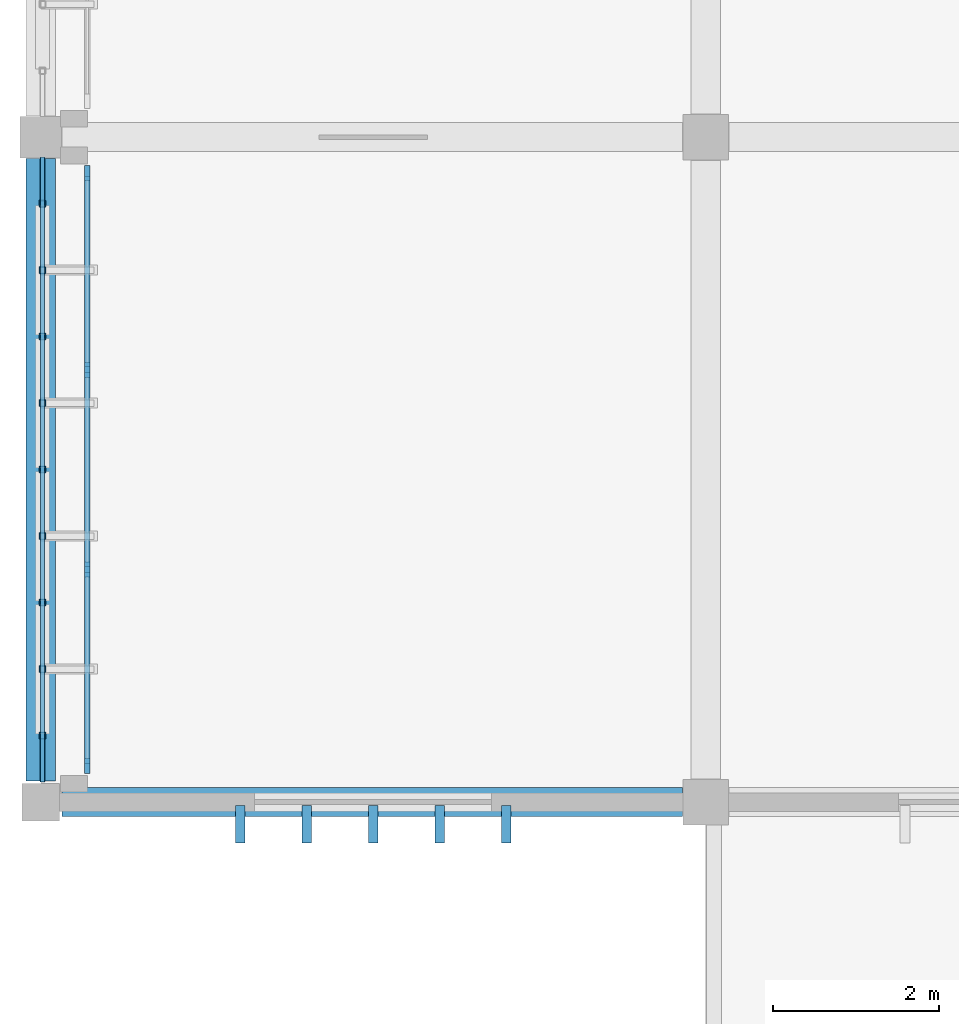
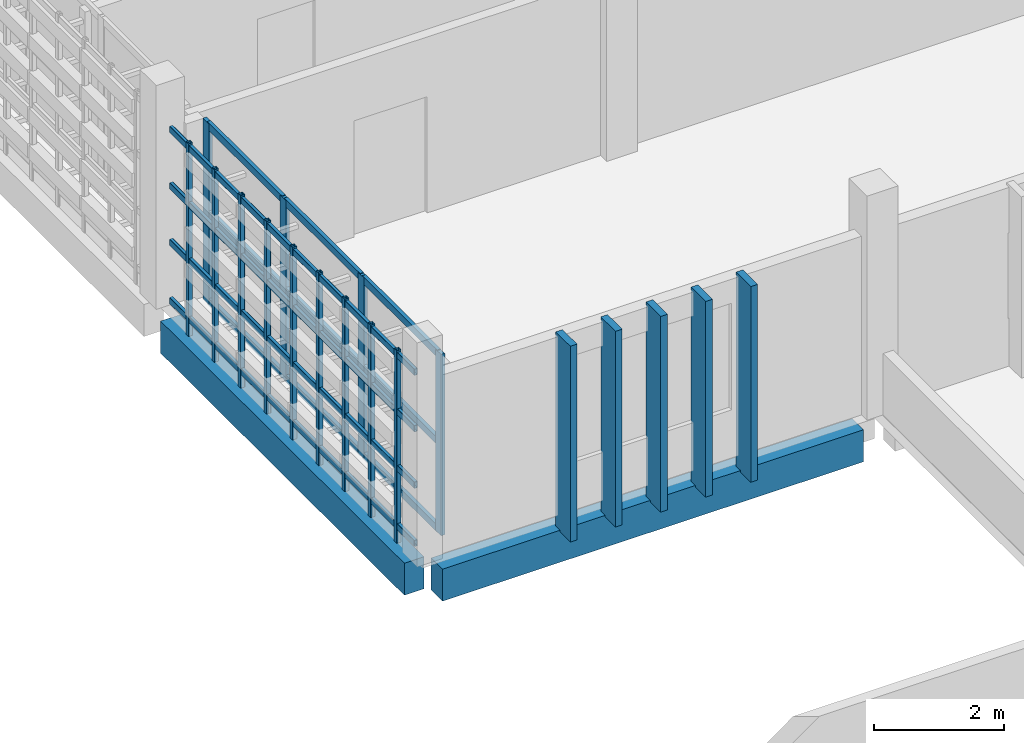
# One storey, part 2 of 32: 31 members, 2 beams, 1 element without a shape of its own.
"""IFC4 building model written with IfcOpenShell, lengths in metres."""

from ifc_helpers import new_model, si_unit, direction, frame, origin, origin_2d, place, context, subcontext, project, spatial, rectangle, hollow_rectangle, extrude, material, layer, layer_set, material_profile, profile_set, type_object, element, aggregate, save


model = new_model("IFC4")

# Units and contexts
model_context = context("Model", 3, precision=1e-05, world=origin(), true_north=direction((0.0, 1.0)))
body_context = subcontext(model_context, "Body", "Model", "MODEL_VIEW")
ifc_project = project(units=[si_unit("LENGTHUNIT", "METRE"), si_unit("AREAUNIT", "SQUARE_METRE"), si_unit("VOLUMEUNIT", "CUBIC_METRE"), si_unit("PLANEANGLEUNIT", "RADIAN"), si_unit("MASSUNIT", "GRAM", prefix="KILO")], contexts=[model_context])

# Site, building, storey
site_placement = place(None, origin())
site = spatial("IfcSite", under=ifc_project, at=site_placement, CompositionType="ELEMENT")
building_placement = place(site_placement, origin())
building = spatial("IfcBuilding", under=site, at=building_placement, Name="Jelvoka-Kovrelna Polytechnic", CompositionType="ELEMENT")
storey_placement = place(building_placement, frame((0.0, 0.0, 26.39990234375)))
storey = spatial("IfcBuildingStorey", under=building, at=storey_placement, Name="L07", CompositionType="ELEMENT", Elevation=26.39990234375)

# Beam
ifc_material_1 = material(Name="Concrete C35/45", Category="concrete")
ifc_material_profile_1 = material_profile(ifc_material_1, rectangle(XDim=0.35009765625, YDim=0.60009765625, at=origin_2d()), Name="RC 350x600")
ifc_profile_set_1 = profile_set([ifc_material_profile_1], Name="Concrete C35/45")
beam_type_1 = type_object("IfcBeamType", Name="Beam_RC_350x600", PredefinedType="BEAM", material=ifc_profile_set_1)
beam_1_placement = place(storey_placement, frame((64.0, 56.2548828125, -0.539794921875), z_axis=(0.0, 1.0, 0.0), x_axis=(-1.0, 0.0, 0.0)))
element("IfcBeam", 1, at=beam_1_placement, inside=storey, type_object=beam_type_1, Name="L07 beam 1844", PredefinedType="BEAM", context=body_context, shape_type="SweptSolid", body=[
    extrude(rectangle(XDim=0.35009765625, YDim=0.60009765625, at=origin_2d()), origin(), (0.0, 0.0, 1.0), 7.490234375),
])

# Members
ifc_material_2 = material(Name="Precast concrete C40/50", Category="concrete")
ifc_material_profile_2 = material_profile(ifc_material_2, rectangle(XDim=0.1201171875, YDim=0.449951171875, at=origin_2d()), Name="PC 120x450")
ifc_profile_set_2 = profile_set([ifc_material_profile_2], Name="Precast concrete C40/50")
member_type_1 = type_object("IfcMemberType", Name="Louvre_Fin_120x450", PredefinedType="USERDEFINED", material=ifc_profile_set_2)
for number, where, z_axis, x_axis, name in (
    (2, (66.39990234375, 55.735107421875, -0.27001953125), (0.0, 0.0, 1.0), (1.0, 0.0, 0.0), "L07 B3 south vertical solar louvre fin 2081"),
    (3, (67.199951171875, 55.735107421875, -0.27001953125), (0.0, 0.0, 1.0), (1.0, 0.0, 0.0), "L07 B3 south vertical solar louvre fin 2082"),
    (4, (68.0, 55.735107421875, -0.27001953125), (0.0, 0.0, 1.0), (1.0, 0.0, 0.0), "L07 B3 south vertical solar louvre fin 2083"),
    (5, (68.800048828125, 55.735107421875, -0.27001953125), (0.0, 0.0, 1.0), (1.0, 0.0, 0.0), "L07 B3 south vertical solar louvre fin 2084"),
    (6, (69.60009765625, 55.735107421875, -0.27001953125), (0.0, 0.0, 1.0), (1.0, 0.0, 0.0), "L07 B3 south vertical solar louvre fin 2085"),
):
    element("IfcMember", number, at=place(storey_placement, frame(where, z_axis=z_axis, x_axis=x_axis)), inside=storey, type_object=member_type_1, Name=name, ObjectType="SUNSHADE", PredefinedType="USERDEFINED", context=body_context, shape_type="SweptSolid", body=[
        extrude(rectangle(XDim=0.1201171875, YDim=0.449951171875, at=origin_2d()), origin(), (0.0, 0.0, 1.0), 3.670166015625),
    ])
ifc_material_3 = material(Name="Structural steel S355J2H", Category="steel")
ifc_material_profile_3 = material_profile(ifc_material_3, hollow_rectangle(XDim=0.06005859375, YDim=0.1201171875, WallThickness=0.0048828125, InnerFilletRadius=0.0048828125, OuterFilletRadius=0.007568359375, at=origin_2d()), Name="120x60x5.0 RHS")
ifc_profile_set_3 = profile_set([ifc_material_profile_3], Name="Structural steel S355J2H")
member_type_2 = type_object("IfcMemberType", Name="Member_Strut_RHS120", PredefinedType="STRUT", material=ifc_profile_set_3)
for number, where, z_axis, x_axis, name in (
    (7, (64.02001953125, 56.239990234375, 0.080078125), (0.0, 1.0, 0.0), (-1.0, 0.0, 0.0), "L07 terracotta screen horizontal strut 0781"),
    (8, (64.02001953125, 56.239990234375, 1.17138671875), (0.0, 1.0, 0.0), (-1.0, 0.0, 0.0), "L07 terracotta screen horizontal strut 0782"),
    (9, (64.02001953125, 56.239990234375, 2.230712890625), (0.0, 1.0, 0.0), (-1.0, 0.0, 0.0), "L07 terracotta screen horizontal strut 0783"),
    (10, (64.02001953125, 56.239990234375, 3.2900390625), (0.0, 1.0, 0.0), (-1.0, 0.0, 0.0), "L07 terracotta screen horizontal strut 0784"),
):
    element("IfcMember", number, at=place(storey_placement, frame(where, z_axis=z_axis, x_axis=x_axis)), inside=storey, type_object=member_type_2, Name=name, PredefinedType="STRUT", context=body_context, shape_type="SweptSolid", body=[
        extrude(hollow_rectangle(XDim=0.06005859375, YDim=0.1201171875, WallThickness=0.0048828125, InnerFilletRadius=0.0048828125, OuterFilletRadius=0.007568359375, at=origin_2d()), origin(), (0.0, 0.0, 1.0), 7.52001953125),
    ])
ifc_material_4 = material(Name="Structural steel S355J2H", Category="steel")
ifc_material_profile_4 = material_profile(ifc_material_4, hollow_rectangle(XDim=0.080078125, YDim=0.080078125, WallThickness=0.0048828125, InnerFilletRadius=0.0048828125, OuterFilletRadius=0.007568359375, at=origin_2d()), Name="80x80x5.0 SHS")
ifc_profile_set_4 = profile_set([ifc_material_profile_4], Name="Structural steel S355J2H")
member_type_3 = type_object("IfcMemberType", Name="Member_Strut_SHS80", PredefinedType="STRUT", material=ifc_profile_set_4)
for number, where, z_axis, x_axis, name in (
    (11, (64.02001953125, 56.800048828125, -0.22998046875), (0.0, 0.0, 1.0), (1.0, 0.0, 0.0), "L07 terracotta lattice vertical rib 0785"),
    (12, (64.02001953125, 57.60009765625, -0.22998046875), (0.0, 0.0, 1.0), (1.0, 0.0, 0.0), "L07 terracotta lattice vertical rib 0786"),
    (13, (64.02001953125, 58.39990234375, -0.22998046875), (0.0, 0.0, 1.0), (1.0, 0.0, 0.0), "L07 terracotta lattice vertical rib 0787"),
    (14, (64.02001953125, 59.199951171875, -0.22998046875), (0.0, 0.0, 1.0), (1.0, 0.0, 0.0), "L07 terracotta lattice vertical rib 0788"),
    (15, (64.02001953125, 60.0, -0.22998046875), (0.0, 0.0, 1.0), (1.0, 0.0, 0.0), "L07 terracotta lattice vertical rib 0789"),
    (16, (64.02001953125, 60.800048828125, -0.22998046875), (0.0, 0.0, 1.0), (1.0, 0.0, 0.0), "L07 terracotta lattice vertical rib 0790"),
    (17, (64.02001953125, 61.60009765625, -0.22998046875), (0.0, 0.0, 1.0), (1.0, 0.0, 0.0), "L07 terracotta lattice vertical rib 0791"),
    (18, (64.02001953125, 62.39990234375, -0.22998046875), (0.0, 0.0, 1.0), (1.0, 0.0, 0.0), "L07 terracotta lattice vertical rib 0792"),
    (19, (64.02001953125, 63.199951171875, -0.22998046875), (0.0, 0.0, 1.0), (1.0, 0.0, 0.0), "L07 terracotta lattice vertical rib 0793"),
):
    element("IfcMember", number, at=place(storey_placement, frame(where, z_axis=z_axis, x_axis=x_axis)), inside=storey, type_object=member_type_3, Name=name, PredefinedType="STRUT", context=body_context, shape_type="SweptSolid", body=[
        extrude(hollow_rectangle(XDim=0.080078125, YDim=0.080078125, WallThickness=0.0048828125, InnerFilletRadius=0.0048828125, OuterFilletRadius=0.007568359375, at=origin_2d()), origin(), (0.0, 0.0, 1.0), 3.610107421875),
    ])

# Curtain wall, members
ifc_material_5 = material(Name="Anodised aluminium 6063-T6", Category="aluminium")
ifc_layer = layer(ifc_material_5, 0.179931640625)
ifc_layer_set = layer_set([ifc_layer], Name="Anodised aluminium 6063-T6")
curtain_wall_type = type_object("IfcCurtainWallType", Name="CW_Recessed_B", PredefinedType="NOTDEFINED", material=ifc_layer_set)
curtain_wall_placement = place(storey_placement, origin())
curtain_wall = element("IfcCurtainWall", 20, at=curtain_wall_placement, inside=storey, type_object=curtain_wall_type, Name="L07 glazed curtain wall 093", PredefinedType="NOTDEFINED")
ifc_material_6 = material(Name="Anodised aluminium 6063-T6", Category="aluminium")
ifc_material_profile_5 = material_profile(ifc_material_6, rectangle(XDim=0.06494140625, YDim=0.179931640625, at=origin_2d()), Name="ALU 65x180")
ifc_profile_set_5 = profile_set([ifc_material_profile_5], Name="Anodised aluminium 6063-T6")
member_type_4 = type_object("IfcMemberType", Name="Mullion_M-02", PredefinedType="MULLION", material=ifc_profile_set_5)
member_1_placement = place(storey_placement, frame((64.56005859375, 56.4326171875, -0.02490234375), z_axis=(0.0, 0.0, 1.0), x_axis=(-1.0, 0.0, 0.0)))
member_1 = element("IfcMember", 21, at=member_1_placement, type_object=member_type_4, Name="CW-02 mullion 1", PredefinedType="MULLION", context=body_context, shape_type="SweptSolid", body=[
    extrude(rectangle(XDim=0.06494140625, YDim=0.179931640625, at=origin_2d()), origin(), (0.0, 0.0, 1.0), 3.400146484375),
])
member_2_placement = place(storey_placement, frame((64.56005859375, 58.800048828125, -0.02490234375), z_axis=(0.0, 0.0, 1.0), x_axis=(-1.0, 0.0, 0.0)))
member_2 = element("IfcMember", 22, at=member_2_placement, type_object=member_type_4, Name="CW-02 mullion 2", PredefinedType="MULLION", context=body_context, shape_type="SweptSolid", body=[
    extrude(rectangle(XDim=0.06494140625, YDim=0.179931640625, at=origin_2d()), origin(), (0.0, 0.0, 1.0), 3.400146484375),
])
member_3_placement = place(storey_placement, frame((64.56005859375, 61.199951171875, -0.02490234375), z_axis=(0.0, 0.0, 1.0), x_axis=(-1.0, 0.0, 0.0)))
member_3 = element("IfcMember", 23, at=member_3_placement, type_object=member_type_4, Name="CW-02 mullion 3", PredefinedType="MULLION", context=body_context, shape_type="SweptSolid", body=[
    extrude(rectangle(XDim=0.06494140625, YDim=0.179931640625, at=origin_2d()), origin(), (0.0, 0.0, 1.0), 3.400146484375),
])
member_4_placement = place(storey_placement, frame((64.56005859375, 63.5673828125, -0.02490234375), z_axis=(0.0, 0.0, 1.0), x_axis=(-1.0, 0.0, 0.0)))
member_4 = element("IfcMember", 24, at=member_4_placement, type_object=member_type_4, Name="CW-02 mullion 4", PredefinedType="MULLION", context=body_context, shape_type="SweptSolid", body=[
    extrude(rectangle(XDim=0.06494140625, YDim=0.179931640625, at=origin_2d()), origin(), (0.0, 0.0, 1.0), 3.400146484375),
])

# Beam
ifc_material_7 = material(Name="Concrete C40/50", Category="concrete")
ifc_material_profile_6 = material_profile(ifc_material_7, rectangle(XDim=0.35009765625, YDim=0.60009765625, at=origin_2d()), Name="RC 350x600")
ifc_profile_set_6 = profile_set([ifc_material_profile_6], Name="Concrete C40/50")
beam_type_2 = type_object("IfcBeamType", Name="Spandrel_RC_350x600", PredefinedType="SPANDREL", material=ifc_profile_set_6)
beam_2_placement = place(storey_placement, frame((64.2548828125, 56.0, -0.539794921875), z_axis=(1.0, 0.0, 0.0), x_axis=(0.0, 1.0, 0.0)))
element("IfcBeam", 25, at=beam_2_placement, inside=storey, type_object=beam_type_2, Name="L07 beam 1827", PredefinedType="SPANDREL", context=body_context, shape_type="SweptSolid", body=[
    extrude(rectangle(XDim=0.35009765625, YDim=0.60009765625, at=origin_2d()), origin(), (0.0, 0.0, 1.0), 7.465087890625),
])

# Member
ifc_material_8 = material(Name="Anodised aluminium 6063-T6", Category="aluminium")
ifc_material_profile_7 = material_profile(ifc_material_8, rectangle(XDim=0.06494140625, YDim=0.135009765625, at=origin_2d()), Name="ALU 65x135")
ifc_profile_set_7 = profile_set([ifc_material_profile_7], Name="Anodised aluminium 6063-T6")
member_type_5 = type_object("IfcMemberType", Name="Transom_T-02", PredefinedType="USERDEFINED", material=ifc_profile_set_7)
member_5_placement = place(storey_placement, frame((64.56005859375, 56.465087890625, 0.03271484375), z_axis=(0.0, 1.0, 0.0), x_axis=(-1.0, 0.0, 0.0)))
member_5 = element("IfcMember", 26, at=member_5_placement, type_object=member_type_5, Name="CW-02 transom 1.1", ObjectType="TRANSOM", PredefinedType="USERDEFINED", context=body_context, shape_type="SweptSolid", body=[
    extrude(rectangle(XDim=0.06494140625, YDim=0.135009765625, at=origin_2d()), origin(), (0.0, 0.0, 1.0), 2.302490234375),
])

member_6_placement = place(storey_placement, frame((64.56005859375, 56.465087890625, 1.675048828125), z_axis=(0.0, 1.0, 0.0), x_axis=(-1.0, 0.0, 0.0)))
member_6 = element("IfcMember", 27, at=member_6_placement, type_object=member_type_5, Name="CW-02 transom 1.2", ObjectType="TRANSOM", PredefinedType="USERDEFINED", context=body_context, shape_type="SweptSolid", body=[
    extrude(rectangle(XDim=0.06494140625, YDim=0.135009765625, at=origin_2d()), origin(), (0.0, 0.0, 1.0), 2.302490234375),
])

member_7_placement = place(storey_placement, frame((64.56005859375, 56.465087890625, 3.317626953125), z_axis=(0.0, 1.0, 0.0), x_axis=(-1.0, 0.0, 0.0)))
member_7 = element("IfcMember", 28, at=member_7_placement, type_object=member_type_5, Name="CW-02 transom 1.3", ObjectType="TRANSOM", PredefinedType="USERDEFINED", context=body_context, shape_type="SweptSolid", body=[
    extrude(rectangle(XDim=0.06494140625, YDim=0.135009765625, at=origin_2d()), origin(), (0.0, 0.0, 1.0), 2.302490234375),
])

member_8_placement = place(storey_placement, frame((64.56005859375, 58.83251953125, 0.03271484375), z_axis=(0.0, 1.0, 0.0), x_axis=(-1.0, 0.0, 0.0)))
member_8 = element("IfcMember", 29, at=member_8_placement, type_object=member_type_5, Name="CW-02 transom 2.1", ObjectType="TRANSOM", PredefinedType="USERDEFINED", context=body_context, shape_type="SweptSolid", body=[
    extrude(rectangle(XDim=0.06494140625, YDim=0.135009765625, at=origin_2d()), origin(), (0.0, 0.0, 1.0), 2.3349609375),
])

member_9_placement = place(storey_placement, frame((64.56005859375, 58.83251953125, 1.675048828125), z_axis=(0.0, 1.0, 0.0), x_axis=(-1.0, 0.0, 0.0)))
member_9 = element("IfcMember", 30, at=member_9_placement, type_object=member_type_5, Name="CW-02 transom 2.2", ObjectType="TRANSOM", PredefinedType="USERDEFINED", context=body_context, shape_type="SweptSolid", body=[
    extrude(rectangle(XDim=0.06494140625, YDim=0.135009765625, at=origin_2d()), origin(), (0.0, 0.0, 1.0), 2.3349609375),
])

member_10_placement = place(storey_placement, frame((64.56005859375, 58.83251953125, 3.317626953125), z_axis=(0.0, 1.0, 0.0), x_axis=(-1.0, 0.0, 0.0)))
member_10 = element("IfcMember", 31, at=member_10_placement, type_object=member_type_5, Name="CW-02 transom 2.3", ObjectType="TRANSOM", PredefinedType="USERDEFINED", context=body_context, shape_type="SweptSolid", body=[
    extrude(rectangle(XDim=0.06494140625, YDim=0.135009765625, at=origin_2d()), origin(), (0.0, 0.0, 1.0), 2.3349609375),
])

member_11_placement = place(storey_placement, frame((64.56005859375, 61.232421875, 0.03271484375), z_axis=(0.0, 1.0, 0.0), x_axis=(-1.0, 0.0, 0.0)))
member_11 = element("IfcMember", 32, at=member_11_placement, type_object=member_type_5, Name="CW-02 transom 3.1", ObjectType="TRANSOM", PredefinedType="USERDEFINED", context=body_context, shape_type="SweptSolid", body=[
    extrude(rectangle(XDim=0.06494140625, YDim=0.135009765625, at=origin_2d()), origin(), (0.0, 0.0, 1.0), 2.302490234375),
])

member_12_placement = place(storey_placement, frame((64.56005859375, 61.232421875, 1.675048828125), z_axis=(0.0, 1.0, 0.0), x_axis=(-1.0, 0.0, 0.0)))
member_12 = element("IfcMember", 33, at=member_12_placement, type_object=member_type_5, Name="CW-02 transom 3.2", ObjectType="TRANSOM", PredefinedType="USERDEFINED", context=body_context, shape_type="SweptSolid", body=[
    extrude(rectangle(XDim=0.06494140625, YDim=0.135009765625, at=origin_2d()), origin(), (0.0, 0.0, 1.0), 2.302490234375),
])

member_13_placement = place(storey_placement, frame((64.56005859375, 61.232421875, 3.317626953125), z_axis=(0.0, 1.0, 0.0), x_axis=(-1.0, 0.0, 0.0)))
member_13 = element("IfcMember", 34, at=member_13_placement, type_object=member_type_5, Name="CW-02 transom 3.3", ObjectType="TRANSOM", PredefinedType="USERDEFINED", context=body_context, shape_type="SweptSolid", body=[
    extrude(rectangle(XDim=0.06494140625, YDim=0.135009765625, at=origin_2d()), origin(), (0.0, 0.0, 1.0), 2.302490234375),
])

aggregate(curtain_wall, [member_1, member_2, member_3, member_4, member_5, member_6, member_7, member_8, member_9, member_10, member_11, member_12, member_13])

save(model, "model.ifc")
